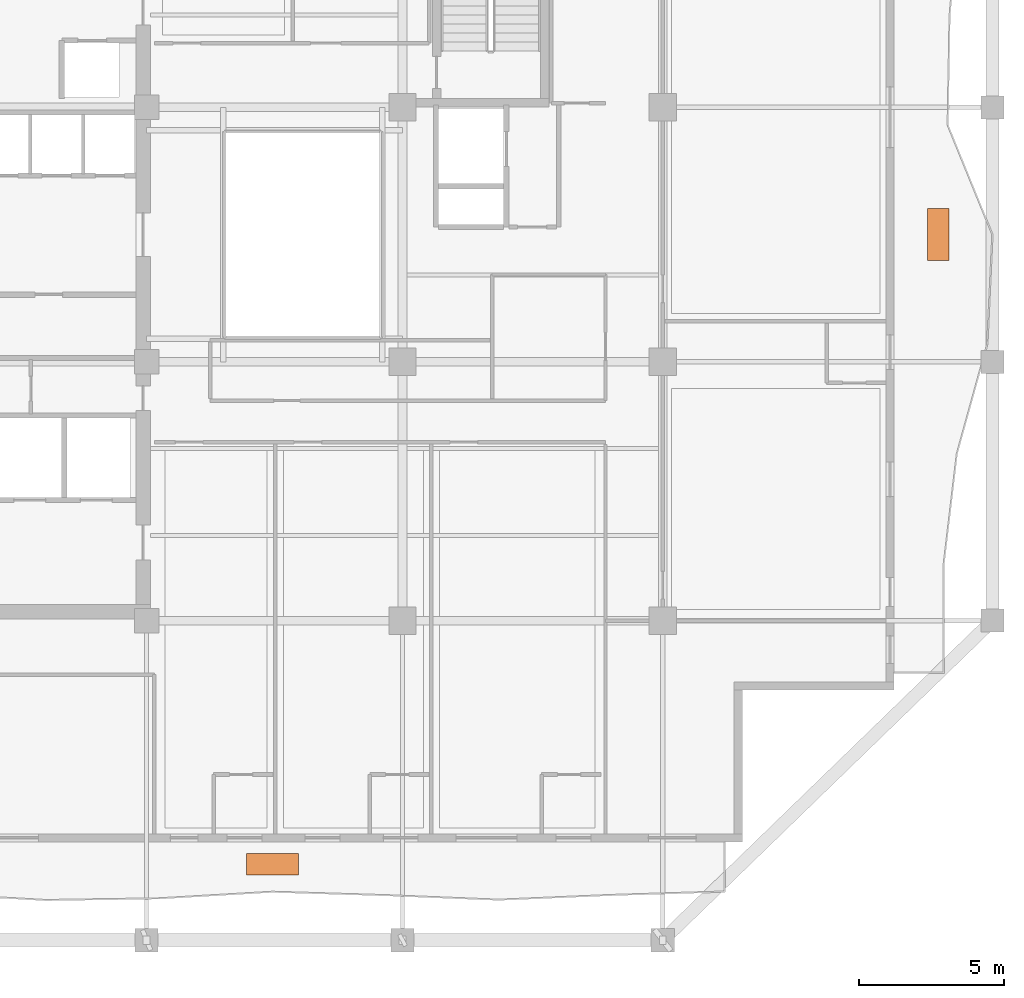
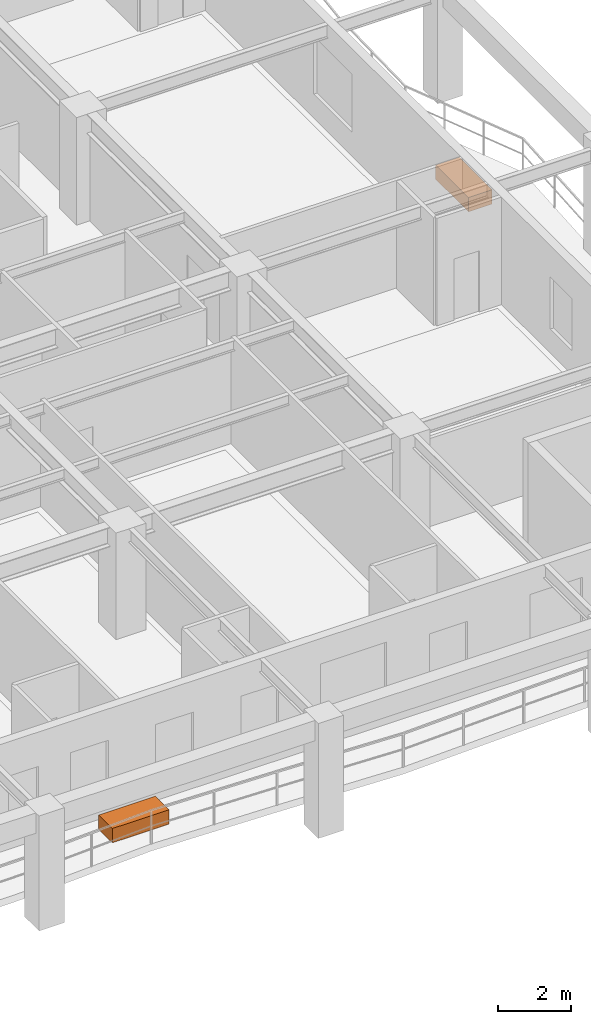
# One storey, part 13 of 13: 2 proxies.
"""IFC4 building model written with IfcOpenShell, lengths in metres."""

from ifc_helpers import new_model, si_unit, direction, frame, origin, origin_2d, place, context, subcontext, project, spatial, rectangle, extrude, material, type_object, element, save


model = new_model("IFC4")

# Units and contexts
model_context = context("Model", 3, precision=1e-05, world=origin(), true_north=direction((0.0, 1.0)))
body_context = subcontext(model_context, "Body", "Model", "MODEL_VIEW")
ifc_project = project(units=[si_unit("LENGTHUNIT", "METRE"), si_unit("AREAUNIT", "SQUARE_METRE"), si_unit("VOLUMEUNIT", "CUBIC_METRE"), si_unit("PLANEANGLEUNIT", "RADIAN"), si_unit("MASSUNIT", "GRAM", prefix="KILO")], contexts=[model_context])

# Site, building, storey
site_placement = place(None, origin())
site = spatial("IfcSite", under=ifc_project, at=site_placement, CompositionType="ELEMENT")
building_placement = place(site_placement, origin())
building = spatial("IfcBuilding", under=site, at=building_placement, Name="Kundavana Baori Tower", CompositionType="ELEMENT")
storey_placement = place(building_placement, frame((0.0, 0.0, 181.0)))
storey = spatial("IfcBuildingStorey", under=building, at=storey_placement, Name="L44", CompositionType="ELEMENT", Elevation=181.0)

# Proxies
ifc_material = material(Name="Red-Buff Dholpur Sandstone Cladding on Concrete C40/50", Category="masonry")
building_element_proxy_type = type_object("IfcBuildingElementProxyType", Name="PRX-PLANTER-1800", PredefinedType="USERDEFINED", material=ifc_material)
for number, where, z_axis, x_axis, name in (
    (1, (29.300048828125, 6.822021484375, 0.0), (0.0, 0.0, 1.0), (1.0, 0.0, 0.0), "L44 Dholpur Stone Structural Tree Planter S"),
    (2, (52.330078125, 28.60009765625, 0.0), (0.0, 0.0, 1.0), (0.0, 1.0, 0.0), "L44 Dholpur Stone Structural Tree Planter E"),
):
    element("IfcBuildingElementProxy", number, at=place(storey_placement, frame(where, z_axis=z_axis, x_axis=x_axis)), inside=storey, type_object=building_element_proxy_type, Name=name, ObjectType="PLANTER", PredefinedType="USERDEFINED", context=body_context, shape_type="SweptSolid", body=[
        extrude(rectangle(XDim=1.800048828125, YDim=0.75, at=origin_2d()), origin(), (0.0, 0.0, 1.0), 0.47998046875),
    ])

save(model, "model.ifc")
